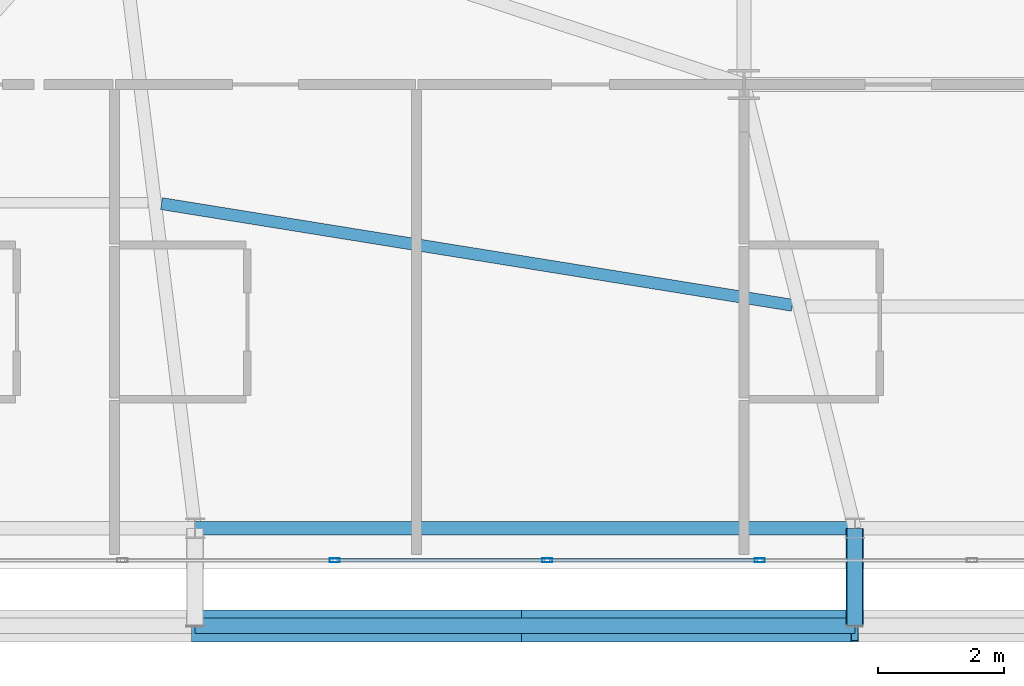
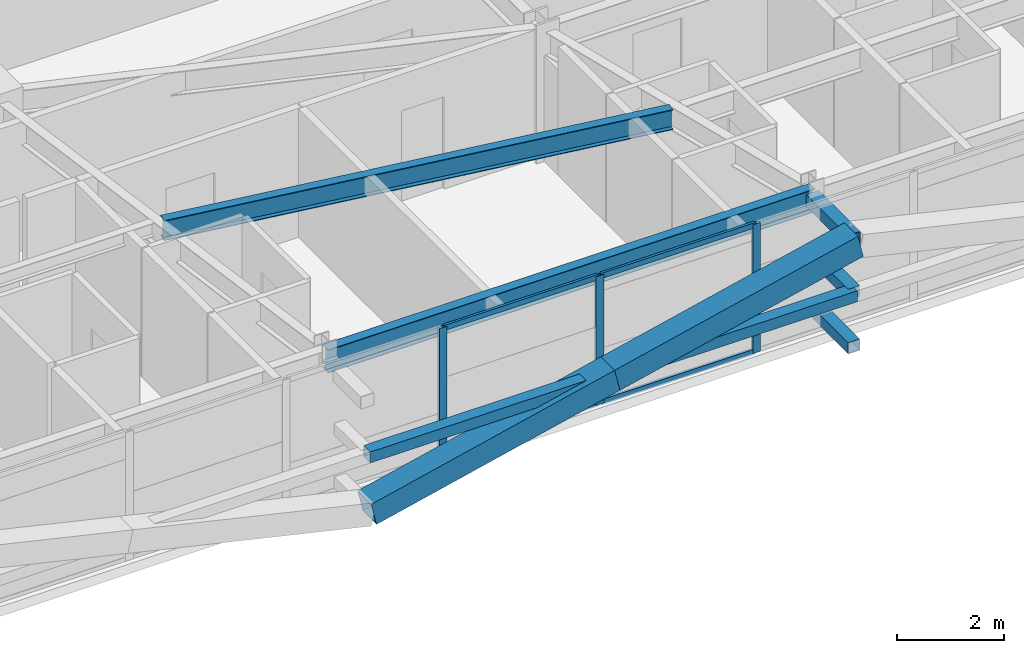
# One storey, part 11 of 59: 13 members, 2 beams, 1 element without a shape of its own.
"""IFC4 building model written with IfcOpenShell, lengths in metres."""

from ifc_helpers import new_model, si_unit, direction, frame, origin, origin_2d, place, context, subcontext, project, spatial, hollow_rectangle, i_section, extrude, source, transform, mapped, material, layer, layer_set, material_profile, profile_set, type_object, element, aggregate, save


model = new_model("IFC4")

# Units and contexts
model_context = context("Model", 3, precision=1e-05, world=origin(), true_north=direction((0.0, 1.0)))
body_context = subcontext(model_context, "Body", "Model", "MODEL_VIEW")
ifc_project = project(units=[si_unit("LENGTHUNIT", "METRE"), si_unit("AREAUNIT", "SQUARE_METRE"), si_unit("VOLUMEUNIT", "CUBIC_METRE"), si_unit("PLANEANGLEUNIT", "RADIAN"), si_unit("MASSUNIT", "GRAM", prefix="KILO")], contexts=[model_context])

# Site, building, storey
site_placement = place(None, origin())
site = spatial("IfcSite", under=ifc_project, at=site_placement, CompositionType="ELEMENT")
building_placement = place(site_placement, origin())
building = spatial("IfcBuilding", under=site, at=building_placement, Name="Taldren Reach Tower", CompositionType="ELEMENT")
storey_placement = place(building_placement, frame((0.0, 0.0, 19.949951171875)))
storey = spatial("IfcBuildingStorey", under=building, at=storey_placement, Name="L05", CompositionType="ELEMENT", Elevation=19.949951171875)

# Beams
ifc_material_1 = material(Name="Steel Gr 350 (350PLUS)", Category="steel")
ifc_material_profile_1 = material_profile(ifc_material_1, i_section(OverallWidth=0.208984375, OverallDepth=0.528076171875, WebThickness=0.009521484375, FlangeThickness=0.01318359375, at=origin_2d()), Name="530UB82.0")
ifc_profile_set_1 = profile_set([ifc_material_profile_1], Name="Steel Gr 350 (350PLUS)")
beam_type_1 = type_object("IfcBeamType", Name="SP-UB530B", PredefinedType="SPANDREL", material=ifc_profile_set_1)
shared_shape_1 = source(origin(), body_context, "Body", "SweptSolid", [
    extrude(i_section(OverallWidth=0.208984375, OverallDepth=0.528076171875, WebThickness=0.009521484375, FlangeThickness=0.01318359375, at=origin_2d()), origin(), (0.0, 0.0, 1.0), 10.47998046875),
])
beam_1_placement = place(storey_placement, frame((19.280029296875, 2.14990234375, 2.666015625), z_axis=(1.0, 0.0, 0.0), x_axis=(0.0, 1.0, 0.0)))
element("IfcBeam", 1, at=beam_1_placement, inside=storey, type_object=beam_type_1, Name="Perimeter spandrel B1 S2-S3 L05", PredefinedType="SPANDREL", context=body_context, shape_type="MappedRepresentation", body=[
    mapped(shared_shape_1, transform((0.0, 0.0, 0.0), scale=1.0)),
])
ifc_material_profile_2 = material_profile(ifc_material_1, i_section(OverallWidth=0.19091796875, OverallDepth=0.4599609375, WebThickness=0.010009765625, FlangeThickness=0.01611328125, at=origin_2d()), Name="460UB82.1")
ifc_profile_set_2 = profile_set([ifc_material_profile_2], Name="Steel Gr 350 (350PLUS)")
beam_type_2 = type_object("IfcBeamType", Name="BM-UB460A", PredefinedType="BEAM", material=ifc_profile_set_2)
shared_shape_2 = source(origin(), body_context, "Body", "SweptSolid", [
    extrude(i_section(OverallWidth=0.19091796875, OverallDepth=0.4599609375, WebThickness=0.010009765625, FlangeThickness=0.01611328125, at=origin_2d()), origin(), (0.0, 0.0, 1.0), 10.1494140625),
])
beam_2_placement = place(storey_placement, frame((18.74755859375, 7.3076171875, 2.699951171875), z_axis=(0.987266967452, -0.159072106224, 0.0), x_axis=(0.159072106224, 0.987266967452, 0.0)))
element("IfcBeam", 2, at=beam_2_placement, inside=storey, type_object=beam_type_2, Name="Secondary floor beam B1 J2 L05", PredefinedType="BEAM", context=body_context, shape_type="MappedRepresentation", body=[
    mapped(shared_shape_2, transform((0.0, 0.0, 0.0), scale=1.0)),
])

# Members
ifc_material_2 = material(Name="Steel Gr 450 (C450L0)", Category="steel")
ifc_material_profile_3 = material_profile(ifc_material_2, hollow_rectangle(XDim=0.27490234375, YDim=0.27490234375, WallThickness=0.00927734375, at=origin_2d()), Name="275x275x9.3SHS")
ifc_profile_set_3 = profile_set([ifc_material_profile_3], Name="Steel Gr 450 (C450L0)")
member_type_1 = type_object("IfcMemberType", Name="MB-TIE273", PredefinedType="STRUT", material=ifc_profile_set_3)
shared_shape_3 = source(origin(), body_context, "Body", "SweptSolid", [
    extrude(hollow_rectangle(XDim=0.27490234375, YDim=0.27490234375, WallThickness=0.00927734375, at=origin_2d()), origin(), (0.0, 0.0, 1.0), 1.5498046875),
])
member_1_placement = place(storey_placement, frame((29.760009765625, 2.14990234375, 2.650146484375), z_axis=(0.0, -1.0, 0.0), x_axis=(1.0, 0.0, 0.0)))
element("IfcMember", 3, at=member_1_placement, inside=storey, type_object=member_type_1, Name="Exoskeleton diaphragm tie strut B1-S3 L05", PredefinedType="STRUT", context=body_context, shape_type="MappedRepresentation", body=[
    mapped(shared_shape_3, transform((0.0, 0.0, 0.0), scale=1.0)),
])
ifc_material_profile_4 = material_profile(ifc_material_2, hollow_rectangle(XDim=0.510009765625, YDim=0.510009765625, WallThickness=0.02001953125, at=origin_2d()), Name="510x510x20.0SHS")
ifc_profile_set_4 = profile_set([ifc_material_profile_4], Name="Steel Gr 450 (C450L0)")
member_type_2 = type_object("IfcMemberType", Name="MB-EXO508", PredefinedType="BRACE", material=ifc_profile_set_4)
shared_shape_4 = source(origin(), body_context, "Body", "SweptSolid", [
    extrude(hollow_rectangle(XDim=0.510009765625, YDim=0.510009765625, WallThickness=0.02001953125, at=origin_2d()), origin(), (0.0, 0.0, 1.0), 5.37890625),
])
for number, where, z_axis, x_axis, name in (
    (4, (19.280029296875, 0.60009765625, 0.219970703125), (0.97415197996, 0.0, 0.225893603143), (0.0, 1.0, 0.0), "Exoskeleton Diagrid Brace B1-S2 L05"),
    (5, (24.52001953125, 0.60009765625, 1.43505859375), (0.97415197996, 0.0, 0.225893603143), (0.0, 1.0, 0.0), "Exoskeleton Diagrid Brace B1-S2 L05"),
):
    element("IfcMember", number, at=place(storey_placement, frame(where, z_axis=z_axis, x_axis=x_axis)), inside=storey, type_object=member_type_2, Name=name, PredefinedType="BRACE", context=body_context, shape_type="MappedRepresentation", body=[
        mapped(shared_shape_4, transform((0.0, 0.0, 0.0), scale=1.0)),
    ])
ifc_material_3 = material(Name="Steel Gr 350 (C350L0)", Category="steel")
ifc_material_profile_5 = material_profile(ifc_material_3, hollow_rectangle(XDim=0.25, YDim=0.25, WallThickness=0.010009765625, at=origin_2d()), Name="250x250x10.0SHS")
ifc_profile_set_5 = profile_set([ifc_material_profile_5], Name="Steel Gr 350 (C350L0)")
member_type_3 = type_object("IfcMemberType", Name="MB-POST250", PredefinedType="POST", material=ifc_profile_set_5)
shared_shape_5 = source(origin(), body_context, "Body", "SweptSolid", [
    extrude(hollow_rectangle(XDim=0.25, YDim=0.25, WallThickness=0.010009765625, at=origin_2d()), origin(), (0.0, 0.0, 1.0), 10.47998046875),
])
member_2_placement = place(storey_placement, frame((19.280029296875, 0.60009765625, 1.43505859375), z_axis=(1.0, 0.0, 0.0), x_axis=(0.0, 1.0, 0.0)))
element("IfcMember", 6, at=member_2_placement, inside=storey, type_object=member_type_3, Name="Exoskeleton mid-height ring chord B1-S2 L05", PredefinedType="POST", context=body_context, shape_type="MappedRepresentation", body=[
    mapped(shared_shape_5, transform((0.0, 0.0, 0.0), scale=1.0)),
])
shared_shape_6 = source(origin(), body_context, "Body", "SweptSolid", [
    extrude(hollow_rectangle(XDim=0.25, YDim=0.25, WallThickness=0.010009765625, at=origin_2d()), origin(), (0.0, 0.0, 1.0), 1.5498046875),
])
for number, where, z_axis, x_axis, name in (
    (7, (29.760009765625, 2.14990234375, 0.219970703125), (0.0, -1.0, 0.0), (1.0, 0.0, 0.0), "Exoskeleton base diaphragm tie strut B1-S3 L05"),
    (8, (29.760009765625, 2.14990234375, 1.43505859375), (0.0, -1.0, 0.0), (1.0, 0.0, 0.0), "Exoskeleton mid-tier diaphragm tie B1-S3 L05"),
):
    element("IfcMember", number, at=place(storey_placement, frame(where, z_axis=z_axis, x_axis=x_axis)), inside=storey, type_object=member_type_3, Name=name, PredefinedType="POST", context=body_context, shape_type="MappedRepresentation", body=[
        mapped(shared_shape_6, transform((0.0, 0.0, 0.0), scale=1.0)),
    ])

# Curtain wall, members
ifc_material_4 = material(Name="Aluminium and Low-E Glass Unitised System", Category="aluminium")
ifc_layer = layer(ifc_material_4, 0.159912109375)
ifc_layer_set = layer_set([ifc_layer], Name="Aluminium and Low-E Glass Unitised System")
curtain_wall_type = type_object("IfcCurtainWallType", Name="CW-SYS-2", PredefinedType="NOTDEFINED", material=ifc_layer_set)
curtain_wall_placement = place(storey_placement, origin())
curtain_wall = element("IfcCurtainWall", 9, at=curtain_wall_placement, inside=storey, type_object=curtain_wall_type, Name="Unitised curtain wall CW-L05-S", PredefinedType="NOTDEFINED")
ifc_material_5 = material(Name="Anodised Aluminium 6063-T6", Category="aluminium")
ifc_material_profile_6 = material_profile(ifc_material_5, hollow_rectangle(XDim=0.06494140625, YDim=0.1650390625, WallThickness=0.00390625, at=origin_2d()), Name="ALU-165x65x4RHS")
ifc_profile_set_6 = profile_set([ifc_material_profile_6], Name="Anodised Aluminium 6063-T6")
member_type_4 = type_object("IfcMemberType", Name="CW-MUL-165", PredefinedType="MULLION", material=ifc_profile_set_6)
shared_shape_7 = source(origin(), body_context, "Body", "SweptSolid", [
    extrude(hollow_rectangle(XDim=0.06494140625, YDim=0.1650390625, WallThickness=0.00390625, at=origin_2d()), origin(), (0.0, 0.0, 1.0), 2.929931640625),
])
member_3_placement = place(storey_placement, frame((21.5, 1.639892578125, 0.0), z_axis=(0.0, 0.0, 1.0), x_axis=(0.0, 1.0, 0.0)))
member_3 = element("IfcMember", 10, at=member_3_placement, type_object=member_type_4, Name="CW-2 mullion 5", PredefinedType="MULLION", context=body_context, shape_type="MappedRepresentation", body=[
    mapped(shared_shape_7, transform((0.0, 0.0, 0.0), scale=1.0)),
])
member_4_placement = place(storey_placement, frame((24.875, 1.639892578125, 0.0), z_axis=(0.0, 0.0, 1.0), x_axis=(0.0, 1.0, 0.0)))
member_4 = element("IfcMember", 11, at=member_4_placement, type_object=member_type_4, Name="CW-2 mullion 6", PredefinedType="MULLION", context=body_context, shape_type="MappedRepresentation", body=[
    mapped(shared_shape_7, transform((0.0, 0.0, 0.0), scale=1.0)),
])
member_5_placement = place(storey_placement, frame((28.25, 1.639892578125, 0.0), z_axis=(0.0, 0.0, 1.0), x_axis=(0.0, 1.0, 0.0)))
member_5 = element("IfcMember", 12, at=member_5_placement, type_object=member_type_4, Name="CW-2 mullion 7", PredefinedType="MULLION", context=body_context, shape_type="MappedRepresentation", body=[
    mapped(shared_shape_7, transform((0.0, 0.0, 0.0), scale=1.0)),
])
ifc_material_profile_7 = material_profile(ifc_material_5, hollow_rectangle(XDim=0.054931640625, YDim=0.1201171875, WallThickness=0.0029296875, at=origin_2d()), Name="ALU-120x55x3RHS")
ifc_profile_set_7 = profile_set([ifc_material_profile_7], Name="Anodised Aluminium 6063-T6")
member_type_5 = type_object("IfcMemberType", Name="CW-TRN-135", PredefinedType="USERDEFINED", material=ifc_profile_set_7)
shared_shape_8 = source(origin(), body_context, "Body", "SweptSolid", [
    extrude(hollow_rectangle(XDim=0.054931640625, YDim=0.1201171875, WallThickness=0.0029296875, at=origin_2d()), origin(), (0.0, 0.0, 1.0), 3.31005859375),
])
member_6_placement = place(storey_placement, frame((21.532470703125, 1.639892578125, 0.027587890625), z_axis=(1.0, 0.0, 0.0), x_axis=(0.0, 1.0, 0.0)))
member_6 = element("IfcMember", 13, at=member_6_placement, type_object=member_type_5, Name="CW-2 transom 5.1", ObjectType="TRANSOM", PredefinedType="USERDEFINED", context=body_context, shape_type="MappedRepresentation", body=[
    mapped(shared_shape_8, transform((0.0, 0.0, 0.0), scale=1.0)),
])
member_7_placement = place(storey_placement, frame((21.532470703125, 1.639892578125, 2.902587890625), z_axis=(1.0, 0.0, 0.0), x_axis=(0.0, 1.0, 0.0)))
member_7 = element("IfcMember", 14, at=member_7_placement, type_object=member_type_5, Name="CW-2 transom 5.2", ObjectType="TRANSOM", PredefinedType="USERDEFINED", context=body_context, shape_type="MappedRepresentation", body=[
    mapped(shared_shape_8, transform((0.0, 0.0, 0.0), scale=1.0)),
])
member_8_placement = place(storey_placement, frame((24.907470703125, 1.639892578125, 0.027587890625), z_axis=(1.0, 0.0, 0.0), x_axis=(0.0, 1.0, 0.0)))
member_8 = element("IfcMember", 15, at=member_8_placement, type_object=member_type_5, Name="CW-2 transom 6.1", ObjectType="TRANSOM", PredefinedType="USERDEFINED", context=body_context, shape_type="MappedRepresentation", body=[
    mapped(shared_shape_8, transform((0.0, 0.0, 0.0), scale=1.0)),
])
member_9_placement = place(storey_placement, frame((24.907470703125, 1.639892578125, 2.902587890625), z_axis=(1.0, 0.0, 0.0), x_axis=(0.0, 1.0, 0.0)))
member_9 = element("IfcMember", 16, at=member_9_placement, type_object=member_type_5, Name="CW-2 transom 6.2", ObjectType="TRANSOM", PredefinedType="USERDEFINED", context=body_context, shape_type="MappedRepresentation", body=[
    mapped(shared_shape_8, transform((0.0, 0.0, 0.0), scale=1.0)),
])
aggregate(curtain_wall, [member_3, member_4, member_5, member_6, member_7, member_8, member_9])

save(model, "model.ifc")
